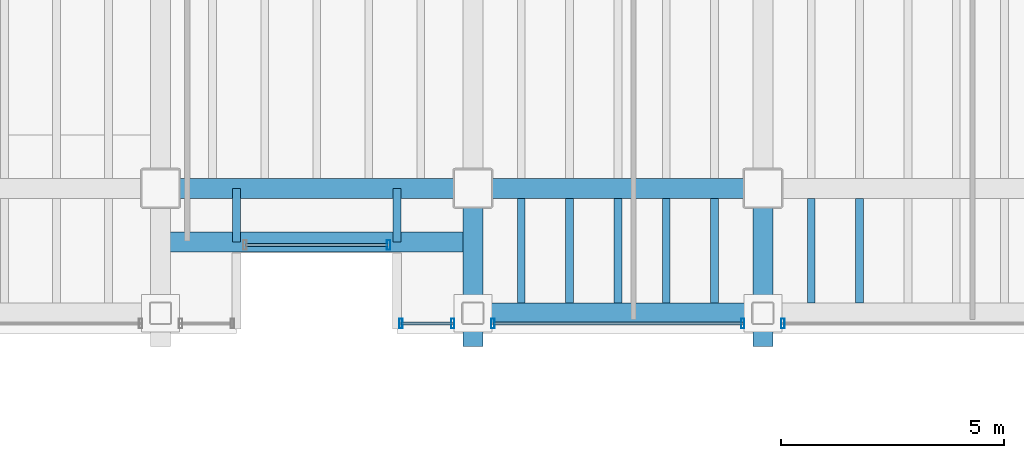
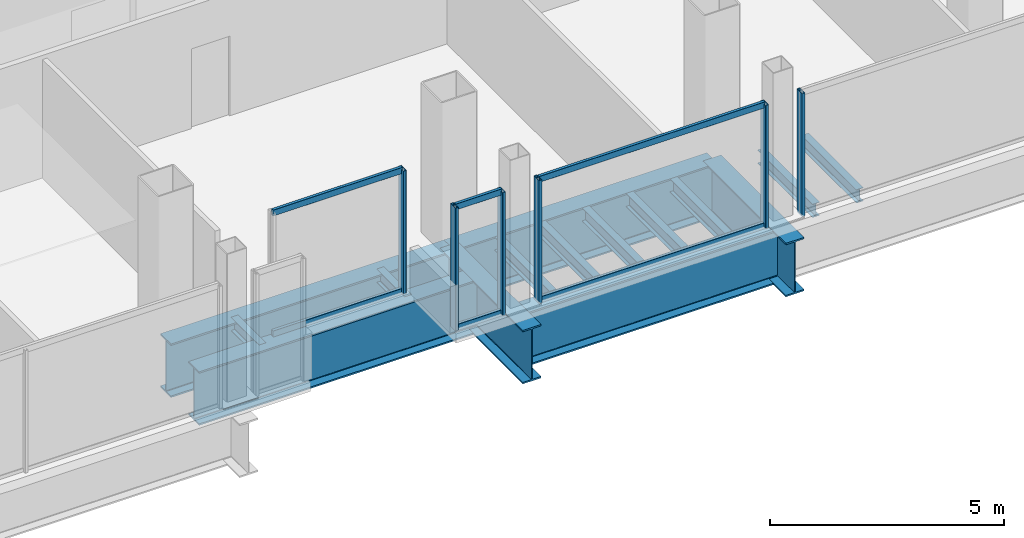
# One storey, part 6 of 19: 15 beams, 12 members, 4 elements without a shape of their own.
"""IFC4 building model written with IfcOpenShell, lengths in metres."""

from ifc_helpers import new_model, si_unit, direction, frame, origin, origin_2d, place, context, subcontext, project, spatial, hollow_rectangle, i_section, extrude, material, material_profile, profile_set, type_object, element, aggregate, save


model = new_model("IFC4")

# Units and contexts
model_context = context("Model", 3, precision=1e-05, world=origin(), true_north=direction((0.0, 1.0)))
body_context = subcontext(model_context, "Body", "Model", "MODEL_VIEW")
ifc_project = project(units=[si_unit("LENGTHUNIT", "METRE"), si_unit("AREAUNIT", "SQUARE_METRE"), si_unit("VOLUMEUNIT", "CUBIC_METRE"), si_unit("PLANEANGLEUNIT", "RADIAN"), si_unit("MASSUNIT", "GRAM", prefix="KILO")], contexts=[model_context])

# Site, building, storey
site_placement = place(None, origin())
site = spatial("IfcSite", under=ifc_project, at=site_placement, CompositionType="ELEMENT")
building_placement = place(site_placement, origin())
building = spatial("IfcBuilding", under=site, at=building_placement, Name="Noeulbin Bourse Tower", CompositionType="ELEMENT")
storey_placement = place(building_placement, frame((0.0, 0.0, 169.5)))
storey = spatial("IfcBuildingStorey", under=building, at=storey_placement, Name="L42", CompositionType="ELEMENT", Elevation=169.5)

# Beams
ifc_material_1 = material(Name="Steel S355", Category="steel")
ifc_material_profile_1 = material_profile(ifc_material_1, i_section(OverallWidth=0.175048828125, OverallDepth=0.35009765625, WebThickness=0.007080078125, FlangeThickness=0.010986328125, FilletRadius=0.013916015625, at=origin_2d()), Name="H-350x175x7x11", Category="LoadBearing")
ifc_profile_set_1 = profile_set([ifc_material_profile_1], Name="Steel S355")
beam_type_1 = type_object("IfcBeamType", Name="BM-JST-350", PredefinedType="JOIST", material=ifc_profile_set_1)
for number, where, z_axis, x_axis, name in (
    (1, (25.699951171875, 18.800048828125, -0.4150390625), (0.0, 1.0, 0.0), (-1.0, 0.0, 0.0), "BM-L42-SRT-W"),
    (2, (29.300048828125, 18.800048828125, -0.4150390625), (0.0, 1.0, 0.0), (-1.0, 0.0, 0.0), "BM-L42-SRT-E"),
):
    element("IfcBeam", number, at=place(storey_placement, frame(where, z_axis=z_axis, x_axis=x_axis)), inside=storey, type_object=beam_type_1, Name=name, PredefinedType="JOIST", context=body_context, shape_type="SweptSolid", body=[
        extrude(i_section(OverallWidth=0.175048828125, OverallDepth=0.35009765625, WebThickness=0.007080078125, FlangeThickness=0.010986328125, FilletRadius=0.013916015625, at=origin_2d()), origin(), (0.0, 0.0, 1.0), 1.199951171875),
    ])
for number, where, z_axis, x_axis, name in (
    (3, (32.083251953125, 17.425048828125, -0.4150390625), (0.0, 1.0, 0.0), (-1.0, 0.0, 0.0), "Tower Composite Joist L42-35"),
    (4, (33.166748046875, 17.425048828125, -0.4150390625), (0.0, 1.0, 0.0), (-1.0, 0.0, 0.0), "Tower Composite Joist L42-38"),
    (5, (34.25, 17.425048828125, -0.4150390625), (0.0, 1.0, 0.0), (-1.0, 0.0, 0.0), "Tower Composite Joist L42-41"),
    (6, (35.333251953125, 17.425048828125, -0.4150390625), (0.0, 1.0, 0.0), (-1.0, 0.0, 0.0), "Tower Composite Joist L42-44"),
    (7, (36.416748046875, 17.425048828125, -0.4150390625), (0.0, 1.0, 0.0), (-1.0, 0.0, 0.0), "Tower Composite Joist L42-47"),
    (8, (38.583251953125, 17.425048828125, -0.4150390625), (0.0, 1.0, 0.0), (-1.0, 0.0, 0.0), "Tower Composite Joist L42-50"),
    (9, (39.666748046875, 17.425048828125, -0.4150390625), (0.0, 1.0, 0.0), (-1.0, 0.0, 0.0), "Tower Composite Joist L42-53"),
):
    element("IfcBeam", number, at=place(storey_placement, frame(where, z_axis=z_axis, x_axis=x_axis)), inside=storey, type_object=beam_type_1, Name=name, PredefinedType="JOIST", context=body_context, shape_type="SweptSolid", body=[
        extrude(i_section(OverallWidth=0.175048828125, OverallDepth=0.35009765625, WebThickness=0.007080078125, FlangeThickness=0.010986328125, FilletRadius=0.013916015625, at=origin_2d()), origin(), (0.0, 0.0, 1.0), 2.349853515625),
    ])
ifc_material_2 = material(Name="Steel S460", Category="steel")
ifc_material_profile_2 = material_profile(ifc_material_2, i_section(OverallWidth=0.449951171875, OverallDepth=1.39990234375, WebThickness=0.02392578125, FlangeThickness=0.0400390625, FilletRadius=0.02392578125, at=origin_2d()), Name="PG-1400x450x24x40", Category="LoadBearing")
ifc_profile_set_2 = profile_set([ifc_material_profile_2], Name="Steel S460")
beam_type_2 = type_object("IfcBeamType", Name="BM-TRF-1400", PredefinedType="USERDEFINED", material=ifc_profile_set_2)
beam_1_placement = place(storey_placement, frame((24.0, 20.0, -0.93994140625), z_axis=(1.0, 0.0, 0.0), x_axis=(0.0, 1.0, 0.0)))
element("IfcBeam", 10, at=beam_1_placement, inside=storey, type_object=beam_type_2, Name="Tower Primary Girder EW L42-1.3", ObjectType="GIRDER", PredefinedType="USERDEFINED", context=body_context, shape_type="SweptSolid", body=[
    extrude(i_section(OverallWidth=0.449951171875, OverallDepth=1.39990234375, WebThickness=0.02392578125, FlangeThickness=0.0400390625, FilletRadius=0.02392578125, at=origin_2d()), origin(), (0.0, 0.0, 1.0), 7.0),
])
beam_2_placement = place(storey_placement, frame((31.0, 20.0, -0.93994140625), z_axis=(1.0, 0.0, 0.0), x_axis=(0.0, 1.0, 0.0)))
element("IfcBeam", 11, at=beam_2_placement, inside=storey, type_object=beam_type_2, Name="Tower Primary Girder EW L42-1.4", ObjectType="GIRDER", PredefinedType="USERDEFINED", context=body_context, shape_type="SweptSolid", body=[
    extrude(i_section(OverallWidth=0.449951171875, OverallDepth=1.39990234375, WebThickness=0.02392578125, FlangeThickness=0.0400390625, FilletRadius=0.02392578125, at=origin_2d()), origin(), (0.0, 0.0, 1.0), 6.5),
])
for number, where, z_axis, x_axis, name in (
    (12, (31.0, 16.449951171875, -0.93994140625), (0.0, 1.0, 0.0), (-1.0, 0.0, 0.0), "Tower Primary Girder NS L42-3.1"),
    (13, (37.5, 16.449951171875, -0.93994140625), (0.0, 1.0, 0.0), (-1.0, 0.0, 0.0), "Tower Primary Girder NS L42-4.1"),
):
    element("IfcBeam", number, at=place(storey_placement, frame(where, z_axis=z_axis, x_axis=x_axis)), inside=storey, type_object=beam_type_2, Name=name, ObjectType="GIRDER", PredefinedType="USERDEFINED", context=body_context, shape_type="SweptSolid", body=[
        extrude(i_section(OverallWidth=0.449951171875, OverallDepth=1.39990234375, WebThickness=0.02392578125, FlangeThickness=0.0400390625, FilletRadius=0.02392578125, at=origin_2d()), origin(), (0.0, 0.0, 1.0), 3.550048828125),
    ])
beam_3_placement = place(storey_placement, frame((24.0, 18.800048828125, -0.93994140625), z_axis=(1.0, 0.0, 0.0), x_axis=(0.0, 1.0, 0.0)))
element("IfcBeam", 14, at=beam_3_placement, inside=storey, type_object=beam_type_2, Name="South Recess Spandrel L42-2B", ObjectType="GIRDER", PredefinedType="USERDEFINED", context=body_context, shape_type="SweptSolid", body=[
    extrude(i_section(OverallWidth=0.449951171875, OverallDepth=1.39990234375, WebThickness=0.02392578125, FlangeThickness=0.0400390625, FilletRadius=0.02392578125, at=origin_2d()), origin(), (0.0, 0.0, 1.0), 7.0),
])
beam_4_placement = place(storey_placement, frame((31.0, 17.199951171875, -0.93994140625), z_axis=(1.0, 0.0, 0.0), x_axis=(0.0, 1.0, 0.0)))
element("IfcBeam", 15, at=beam_4_placement, inside=storey, type_object=beam_type_2, Name="South Spandrel L42-3", ObjectType="GIRDER", PredefinedType="USERDEFINED", context=body_context, shape_type="SweptSolid", body=[
    extrude(i_section(OverallWidth=0.449951171875, OverallDepth=1.39990234375, WebThickness=0.02392578125, FlangeThickness=0.0400390625, FilletRadius=0.02392578125, at=origin_2d()), origin(), (0.0, 0.0, 1.0), 6.5),
])

# Curtain wall, member
ifc_material_3 = material(Name="Dark Tinted Triple Glazing", Category="glass")
curtain_wall_type = type_object("IfcCurtainWallType", Name="CW-SYS-3", PredefinedType="NOTDEFINED", material=ifc_material_3)
curtain_wall_1_placement = place(storey_placement, origin())
curtain_wall_1 = element("IfcCurtainWall", 16, at=curtain_wall_1_placement, inside=storey, type_object=curtain_wall_type, Name="Unitised Curtain Wall CW-L42-SREC", PredefinedType="NOTDEFINED")
ifc_material_4 = material(Name="Anodised Aluminium 6063-T6", Category="aluminium")
ifc_material_profile_3 = material_profile(ifc_material_4, hollow_rectangle(XDim=0.074951171875, YDim=0.219970703125, WallThickness=0.0048828125, InnerFilletRadius=0.00244140625, OuterFilletRadius=0.0048828125, at=origin_2d()), Name="ALU-MULL-75x220x5", Category="LoadBearing")
ifc_profile_set_3 = profile_set([ifc_material_profile_3], Name="Anodised Aluminium 6063-T6")
member_type_1 = type_object("IfcMemberType", Name="CW-SYS-3-MUL", PredefinedType="MULLION", material=ifc_profile_set_3)
member_1_placement = place(storey_placement, frame((29.110107421875, 18.72998046875, -0.02001953125), z_axis=(0.0, 0.0, 1.0), x_axis=(1.0, 0.0, 0.0)))
member_1 = element("IfcMember", 17, at=member_1_placement, type_object=member_type_1, Name="Curtain Wall Mullion CW-L42-SREC-M01", PredefinedType="MULLION", context=body_context, shape_type="SweptSolid", body=[
    extrude(hollow_rectangle(XDim=0.074951171875, YDim=0.219970703125, WallThickness=0.0048828125, InnerFilletRadius=0.00244140625, OuterFilletRadius=0.0048828125, at=origin_2d()), origin(), (0.0, 0.0, 1.0), 3.219970703125),
])

# Curtain wall, members
curtain_wall_2_placement = place(storey_placement, origin())
curtain_wall_2 = element("IfcCurtainWall", 18, at=curtain_wall_2_placement, inside=storey, type_object=curtain_wall_type, Name="Unitised Curtain Wall CW-L42-S2-S1", PredefinedType="NOTDEFINED")
member_2_placement = place(storey_placement, frame((29.389892578125, 16.969970703125, -0.02001953125), z_axis=(0.0, 0.0, 1.0), x_axis=(1.0, 0.0, 0.0)))
member_2 = element("IfcMember", 19, at=member_2_placement, type_object=member_type_1, Name="Curtain Wall Mullion CW-L42-S2-S1-M00", PredefinedType="MULLION", context=body_context, shape_type="SweptSolid", body=[
    extrude(hollow_rectangle(XDim=0.074951171875, YDim=0.219970703125, WallThickness=0.0048828125, InnerFilletRadius=0.00244140625, OuterFilletRadius=0.0048828125, at=origin_2d()), origin(), (0.0, 0.0, 1.0), 3.219970703125),
])
member_3_placement = place(storey_placement, frame((30.550048828125, 16.969970703125, -0.02001953125), z_axis=(0.0, 0.0, 1.0), x_axis=(1.0, 0.0, 0.0)))
member_3 = element("IfcMember", 20, at=member_3_placement, type_object=member_type_1, Name="Curtain Wall Mullion CW-L42-S2-S1-M01", PredefinedType="MULLION", context=body_context, shape_type="SweptSolid", body=[
    extrude(hollow_rectangle(XDim=0.074951171875, YDim=0.219970703125, WallThickness=0.0048828125, InnerFilletRadius=0.00244140625, OuterFilletRadius=0.0048828125, at=origin_2d()), origin(), (0.0, 0.0, 1.0), 3.219970703125),
])

curtain_wall_3_placement = place(storey_placement, origin())
curtain_wall_3 = element("IfcCurtainWall", 21, at=curtain_wall_3_placement, inside=storey, type_object=curtain_wall_type, Name="Unitised Curtain Wall CW-L42-S2-S2", PredefinedType="NOTDEFINED")
member_4_placement = place(storey_placement, frame((31.449951171875, 16.969970703125, -0.02001953125), z_axis=(0.0, 0.0, 1.0), x_axis=(1.0, 0.0, 0.0)))
member_4 = element("IfcMember", 22, at=member_4_placement, type_object=member_type_1, Name="Curtain Wall Mullion CW-L42-S2-S2-M00", PredefinedType="MULLION", context=body_context, shape_type="SweptSolid", body=[
    extrude(hollow_rectangle(XDim=0.074951171875, YDim=0.219970703125, WallThickness=0.0048828125, InnerFilletRadius=0.00244140625, OuterFilletRadius=0.0048828125, at=origin_2d()), origin(), (0.0, 0.0, 1.0), 3.219970703125),
])
member_5_placement = place(storey_placement, frame((37.050048828125, 16.969970703125, -0.02001953125), z_axis=(0.0, 0.0, 1.0), x_axis=(1.0, 0.0, 0.0)))
member_5 = element("IfcMember", 23, at=member_5_placement, type_object=member_type_1, Name="Curtain Wall Mullion CW-L42-S2-S2-M01", PredefinedType="MULLION", context=body_context, shape_type="SweptSolid", body=[
    extrude(hollow_rectangle(XDim=0.074951171875, YDim=0.219970703125, WallThickness=0.0048828125, InnerFilletRadius=0.00244140625, OuterFilletRadius=0.0048828125, at=origin_2d()), origin(), (0.0, 0.0, 1.0), 3.219970703125),
])

# Curtain wall, member
curtain_wall_4_placement = place(storey_placement, origin())
curtain_wall_4 = element("IfcCurtainWall", 24, at=curtain_wall_4_placement, inside=storey, type_object=curtain_wall_type, Name="Unitised Curtain Wall CW-L42-S2-S3", PredefinedType="NOTDEFINED")
member_6_placement = place(storey_placement, frame((37.949951171875, 16.969970703125, -0.02001953125), z_axis=(0.0, 0.0, 1.0), x_axis=(1.0, 0.0, 0.0)))
member_6 = element("IfcMember", 25, at=member_6_placement, type_object=member_type_1, Name="Curtain Wall Mullion CW-L42-S2-S3-M00", PredefinedType="MULLION", context=body_context, shape_type="SweptSolid", body=[
    extrude(hollow_rectangle(XDim=0.074951171875, YDim=0.219970703125, WallThickness=0.0048828125, InnerFilletRadius=0.00244140625, OuterFilletRadius=0.0048828125, at=origin_2d()), origin(), (0.0, 0.0, 1.0), 3.219970703125),
])
aggregate(curtain_wall_4, [member_6])

# Member
ifc_material_profile_4 = material_profile(ifc_material_4, hollow_rectangle(XDim=0.074951171875, YDim=0.159912109375, WallThickness=0.0048828125, InnerFilletRadius=0.00244140625, OuterFilletRadius=0.0048828125, at=origin_2d()), Name="ALU-TRAN-75x160x5", Category="LoadBearing")
ifc_profile_set_4 = profile_set([ifc_material_profile_4], Name="Anodised Aluminium 6063-T6")
member_type_2 = type_object("IfcMemberType", Name="CW-SYS-3-TRN", PredefinedType="USERDEFINED", material=ifc_profile_set_4)
member_7_placement = place(storey_placement, frame((25.89990234375, 18.72998046875, 0.010009765625), z_axis=(1.0, 0.0, 0.0), x_axis=(0.0, 1.0, 0.0)))
member_7 = element("IfcMember", 26, at=member_7_placement, type_object=member_type_2, Name="Curtain Wall Transom CW-L42-SREC-T00", ObjectType="TRANSOM", PredefinedType="USERDEFINED", context=body_context, shape_type="SweptSolid", body=[
    extrude(hollow_rectangle(XDim=0.074951171875, YDim=0.159912109375, WallThickness=0.0048828125, InnerFilletRadius=0.00244140625, OuterFilletRadius=0.0048828125, at=origin_2d()), origin(), (0.0, 0.0, 1.0), 3.2001953125),
])

member_8_placement = place(storey_placement, frame((25.89990234375, 18.72998046875, 3.169921875), z_axis=(1.0, 0.0, 0.0), x_axis=(0.0, 1.0, 0.0)))
member_8 = element("IfcMember", 27, at=member_8_placement, type_object=member_type_2, Name="Curtain Wall Transom CW-L42-SREC-T01", ObjectType="TRANSOM", PredefinedType="USERDEFINED", context=body_context, shape_type="SweptSolid", body=[
    extrude(hollow_rectangle(XDim=0.074951171875, YDim=0.159912109375, WallThickness=0.0048828125, InnerFilletRadius=0.00244140625, OuterFilletRadius=0.0048828125, at=origin_2d()), origin(), (0.0, 0.0, 1.0), 3.2001953125),
])

aggregate(curtain_wall_1, [member_1, member_7, member_8])

member_9_placement = place(storey_placement, frame((29.39990234375, 16.969970703125, 0.010009765625), z_axis=(1.0, 0.0, 0.0), x_axis=(0.0, 1.0, 0.0)))
member_9 = element("IfcMember", 28, at=member_9_placement, type_object=member_type_2, Name="Curtain Wall Transom CW-L42-S2-S1-T00", ObjectType="TRANSOM", PredefinedType="USERDEFINED", context=body_context, shape_type="SweptSolid", body=[
    extrude(hollow_rectangle(XDim=0.074951171875, YDim=0.159912109375, WallThickness=0.0048828125, InnerFilletRadius=0.00244140625, OuterFilletRadius=0.0048828125, at=origin_2d()), origin(), (0.0, 0.0, 1.0), 1.14013671875),
])

member_10_placement = place(storey_placement, frame((29.39990234375, 16.969970703125, 3.169921875), z_axis=(1.0, 0.0, 0.0), x_axis=(0.0, 1.0, 0.0)))
member_10 = element("IfcMember", 29, at=member_10_placement, type_object=member_type_2, Name="Curtain Wall Transom CW-L42-S2-S1-T01", ObjectType="TRANSOM", PredefinedType="USERDEFINED", context=body_context, shape_type="SweptSolid", body=[
    extrude(hollow_rectangle(XDim=0.074951171875, YDim=0.159912109375, WallThickness=0.0048828125, InnerFilletRadius=0.00244140625, OuterFilletRadius=0.0048828125, at=origin_2d()), origin(), (0.0, 0.0, 1.0), 1.14013671875),
])

aggregate(curtain_wall_2, [member_2, member_3, member_9, member_10])

member_11_placement = place(storey_placement, frame((31.4599609375, 16.969970703125, 0.010009765625), z_axis=(1.0, 0.0, 0.0), x_axis=(0.0, 1.0, 0.0)))
member_11 = element("IfcMember", 30, at=member_11_placement, type_object=member_type_2, Name="Curtain Wall Transom CW-L42-S2-S2-T00", ObjectType="TRANSOM", PredefinedType="USERDEFINED", context=body_context, shape_type="SweptSolid", body=[
    extrude(hollow_rectangle(XDim=0.074951171875, YDim=0.159912109375, WallThickness=0.0048828125, InnerFilletRadius=0.00244140625, OuterFilletRadius=0.0048828125, at=origin_2d()), origin(), (0.0, 0.0, 1.0), 5.580078125),
])

member_12_placement = place(storey_placement, frame((31.4599609375, 16.969970703125, 3.169921875), z_axis=(1.0, 0.0, 0.0), x_axis=(0.0, 1.0, 0.0)))
member_12 = element("IfcMember", 31, at=member_12_placement, type_object=member_type_2, Name="Curtain Wall Transom CW-L42-S2-S2-T01", ObjectType="TRANSOM", PredefinedType="USERDEFINED", context=body_context, shape_type="SweptSolid", body=[
    extrude(hollow_rectangle(XDim=0.074951171875, YDim=0.159912109375, WallThickness=0.0048828125, InnerFilletRadius=0.00244140625, OuterFilletRadius=0.0048828125, at=origin_2d()), origin(), (0.0, 0.0, 1.0), 5.580078125),
])

aggregate(curtain_wall_3, [member_4, member_5, member_11, member_12])

save(model, "model.ifc")
